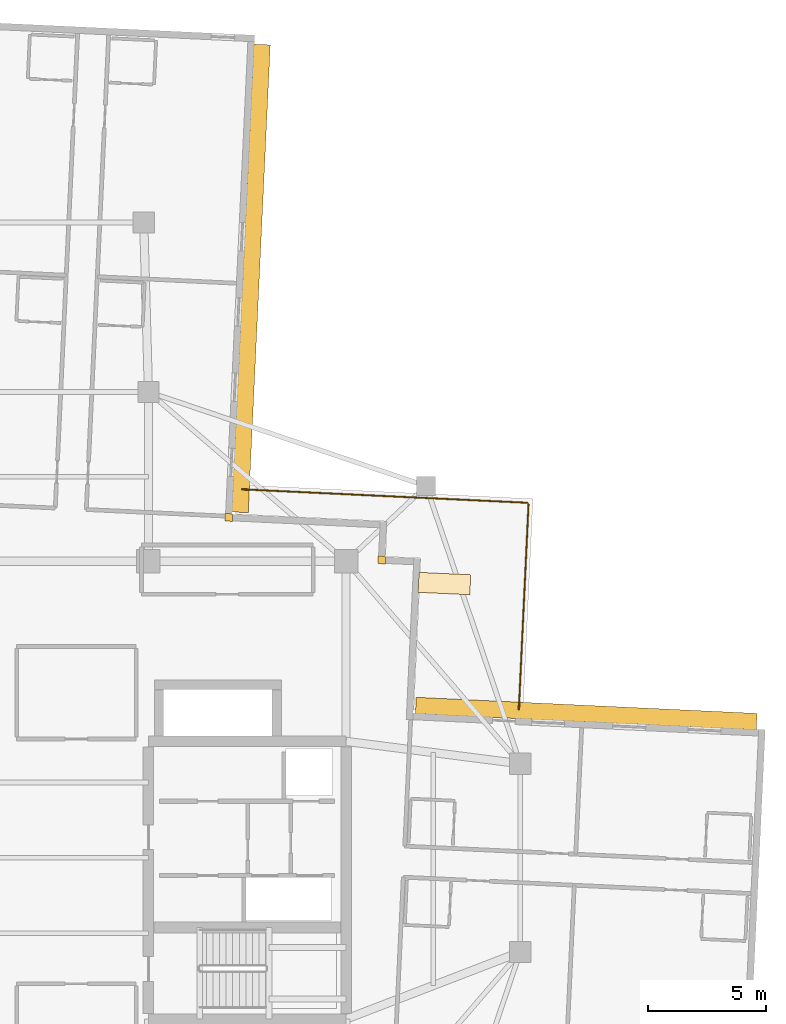
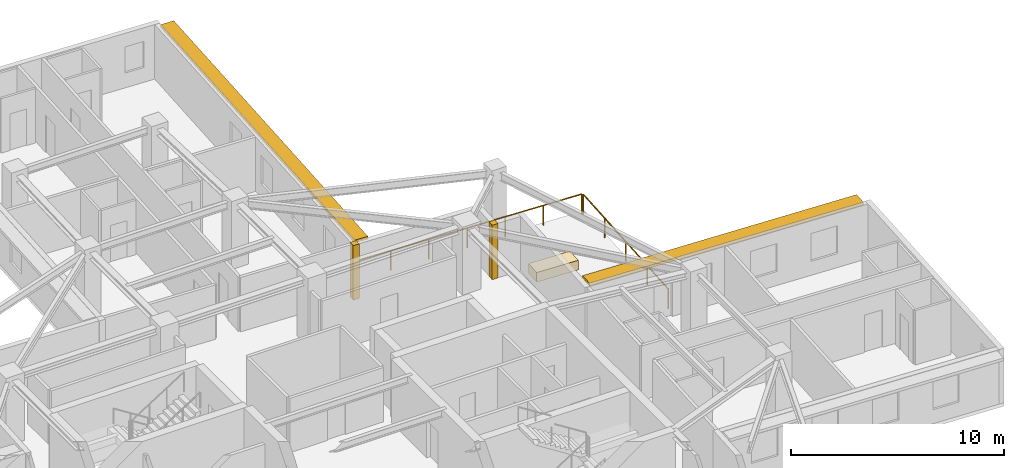
# One storey, part 13 of 13: 3 coverings, 2 railings, 2 shading devices.
"""IFC4 building model written with IfcOpenShell, lengths in metres."""

from ifc_helpers import new_model, si_unit, direction, frame, origin, origin_2d, place, context, subcontext, project, spatial, rectangle, circle, extrude, material, layer, layer_set, type_object, element, save


model = new_model("IFC4")

# Units and contexts
model_context = context("Model", 3, precision=1e-05, world=origin(), true_north=direction((0.0, 1.0)))
body_context = subcontext(model_context, "Body", "Model", "MODEL_VIEW")
ifc_project = project(units=[si_unit("LENGTHUNIT", "METRE"), si_unit("AREAUNIT", "SQUARE_METRE"), si_unit("VOLUMEUNIT", "CUBIC_METRE"), si_unit("PLANEANGLEUNIT", "RADIAN"), si_unit("MASSUNIT", "GRAM", prefix="KILO")], contexts=[model_context])

# Site, building, storey
site_placement = place(None, origin())
site = spatial("IfcSite", under=ifc_project, at=site_placement, CompositionType="ELEMENT")
building_placement = place(site_placement, origin())
building = spatial("IfcBuilding", under=site, at=building_placement, Name="Qingluan Cross Belvedere", CompositionType="ELEMENT")
storey_placement = place(building_placement, frame((0.0, 0.0, 236.39990234375)))
storey = spatial("IfcBuildingStorey", under=building, at=storey_placement, Name="L59", CompositionType="ELEMENT", Elevation=236.39990234375)

# Coverings
ifc_material_1 = material(Name="Precast concrete C45", Category="concrete")
ifc_layer_1 = layer(ifc_material_1, 0.1201171875, Name="ConcreteSpandrelCladding_120")
ifc_layer_set_1 = layer_set([ifc_layer_1], Name="Precast concrete C45")
covering_type_1 = type_object("IfcCoveringType", Name="ConcreteSpandrelCladding_120", PredefinedType="CLADDING", material=ifc_layer_set_1)
for number, where, z_axis, x_axis, name in (
    (1, (13.911865234375, 12.65869140625, 0.000244140625), (0.0, 0.0, 1.0), (0.998889874962, -0.04710645071, 0.0), "Corner closure L59-NE1"),
    (2, (7.40966796875, 14.467041015625, 0.000244140625), (0.0, 0.0, 1.0), (0.998889874962, -0.04710645071, 0.0), "Corner closure L59-NE2"),
):
    element("IfcCovering", number, at=place(storey_placement, frame(where, z_axis=z_axis, x_axis=x_axis)), inside=storey, type_object=covering_type_1, Name=name, PredefinedType="CLADDING", context=body_context, shape_type="SweptSolid", body=[
        extrude(rectangle(XDim=0.320068359375, YDim=0.320068359375, at=origin_2d()), origin(), (0.0, 0.0, 1.0), 3.1298828125),
    ])

# Shading devices
ifc_material_2 = material(Name="Precast concrete C45", Category="concrete")
ifc_layer_2 = layer(ifc_material_2, 0.139892578125, Name="ConcreteSunshadeBand_700")
ifc_layer_set_2 = layer_set([ifc_layer_2], Name="Precast concrete C45")
shading_device_type = type_object("IfcShadingDeviceType", Name="ConcreteSunshadeBand_700", PredefinedType="USERDEFINED", material=ifc_layer_set_2)
shading_device_1_placement = place(storey_placement, frame((22.60400390625, 6.132080078125, 2.9501953125), z_axis=(0.0, 0.0, 1.0), x_axis=(-0.99888976521, 0.047108777928, 0.0)))
element("IfcShadingDevice", 3, at=shading_device_1_placement, inside=storey, type_object=shading_device_type, Name="Concrete SUNSHADE L59-EB", ObjectType="SUNSHADE", PredefinedType="USERDEFINED", context=body_context, shape_type="SweptSolid", body=[
    extrude(rectangle(XDim=14.5, YDim=0.699951171875, at=origin_2d()), origin(), (0.0, 0.0, 1.0), 0.159912109375),
])
shading_device_2_placement = place(storey_placement, frame((8.359130859375, 24.62353515625, 2.9501953125), z_axis=(0.0, 0.0, 1.0), x_axis=(0.047104684445, 0.998889958255, 0.0)))
element("IfcShadingDevice", 4, at=shading_device_2_placement, inside=storey, type_object=shading_device_type, Name="Concrete SUNSHADE L59-NA", ObjectType="SUNSHADE", PredefinedType="USERDEFINED", context=body_context, shape_type="SweptSolid", body=[
    extrude(rectangle(XDim=19.89990234375, YDim=0.699951171875, at=origin_2d()), origin(), (0.0, 0.0, 1.0), 0.159912109375),
])

# Railings
ifc_material_3 = material(Name="Laminated glass and stainless steel balustrade", Category="steel")
railing_type = type_object("IfcRailingType", Name="TerraceGuardBalustrade_1150", PredefinedType="BALUSTRADE", material=ifc_material_3)
railing_1_placement = place(storey_placement, frame((7.98681640625, 15.6611328125, 0.0)))
element("IfcRailing", 5, at=railing_1_placement, inside=storey, type_object=railing_type, Name="Terrace guard L59-1", PredefinedType="BALUSTRADE", context=body_context, shape_type="SweptSolid", body=[
    extrude(circle(Radius=0.02392578125, at=origin_2d()), frame((0.0, 0.0, 1.1259765625), z_axis=(0.998889411148, -0.047116284841, 0.0), x_axis=(0.047116284841, 0.998889411148, 0.0)), (0.0, 0.0, 1.0), 12.119873046875),
    extrude(circle(Radius=0.02099609375, at=origin_2d()), origin(), (0.0, 0.0, 1.0), 1.101806640625),
    extrude(circle(Radius=0.02099609375, at=origin_2d()), frame((2.017822265625, -0.09521484375, 0.0)), (0.0, 0.0, 1.0), 1.101806640625),
    extrude(circle(Radius=0.02099609375, at=origin_2d()), frame((4.035400390625, -0.1904296875, 0.0)), (0.0, 0.0, 1.0), 1.101806640625),
    extrude(circle(Radius=0.02099609375, at=origin_2d()), frame((6.05322265625, -0.28564453125, 0.0)), (0.0, 0.0, 1.0), 1.101806640625),
    extrude(circle(Radius=0.02099609375, at=origin_2d()), frame((8.071044921875, -0.380615234375, 0.0)), (0.0, 0.0, 1.0), 1.101806640625),
    extrude(circle(Radius=0.02099609375, at=origin_2d()), frame((10.088623046875, -0.475830078125, 0.0)), (0.0, 0.0, 1.0), 1.101806640625),
    extrude(circle(Radius=0.02099609375, at=origin_2d()), frame((12.1064453125, -0.571044921875, 0.0)), (0.0, 0.0, 1.0), 1.101806640625),
])
railing_2_placement = place(storey_placement, frame((20.150390625, 15.02734375, 0.0)))
element("IfcRailing", 6, at=railing_2_placement, inside=storey, type_object=railing_type, Name="Terrace guard L59-2", PredefinedType="BALUSTRADE", context=body_context, shape_type="SweptSolid", body=[
    extrude(circle(Radius=0.02392578125, at=origin_2d()), frame((0.0, 0.0, 1.1259765625), z_axis=(-0.047120848632, -0.998889195869, 0.0), x_axis=(0.998889195869, -0.047120848632, 0.0)), (0.0, 0.0, 1.0), 8.719970703125),
    extrude(circle(Radius=0.02099609375, at=origin_2d()), origin(), (0.0, 0.0, 1.0), 1.101806640625),
    extrude(circle(Radius=0.02099609375, at=origin_2d()), frame((-0.102783203125, -2.177490234375, 0.0)), (0.0, 0.0, 1.0), 1.101806640625),
    extrude(circle(Radius=0.02099609375, at=origin_2d()), frame((-0.20556640625, -4.35498046875, 0.0)), (0.0, 0.0, 1.0), 1.101806640625),
    extrude(circle(Radius=0.02099609375, at=origin_2d()), frame((-0.30810546875, -6.53271484375, 0.0)), (0.0, 0.0, 1.0), 1.101806640625),
    extrude(circle(Radius=0.02099609375, at=origin_2d()), frame((-0.410888671875, -8.710205078125, 0.0)), (0.0, 0.0, 1.0), 1.101806640625),
])

# Covering
ifc_material_4 = material(Name="Precast concrete C40", Category="concrete")
ifc_layer_3 = layer(ifc_material_4, 0.550048828125, Name="TerracePlanterBox")
ifc_layer_set_3 = layer_set([ifc_layer_3], Name="Precast concrete C40")
covering_type_2 = type_object("IfcCoveringType", Name="TerracePlanterBox", PredefinedType="USERDEFINED", material=ifc_layer_set_3)
covering_placement = place(storey_placement, frame((16.576904296875, 11.656982421875, 0.0), z_axis=(0.0, 0.0, 1.0), x_axis=(0.998889874962, -0.04710645071, 0.0)))
element("IfcCovering", 7, at=covering_placement, inside=storey, type_object=covering_type_2, Name="Spiralling winter-garden planter L59", ObjectType="PLANTER", PredefinedType="USERDEFINED", context=body_context, shape_type="SweptSolid", body=[
    extrude(rectangle(XDim=2.199951171875, YDim=0.85009765625, at=origin_2d()), origin(), (0.0, 0.0, 1.0), 0.550048828125),
])

save(model, "model.ifc")
